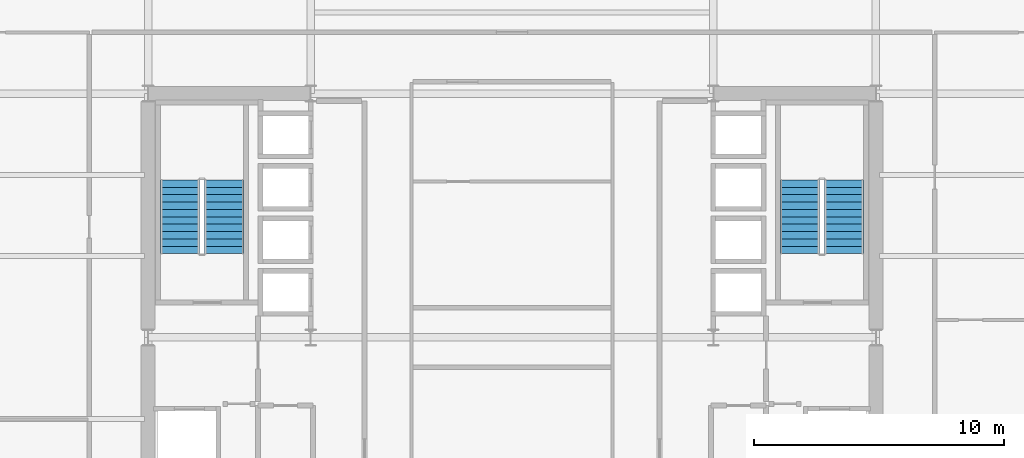
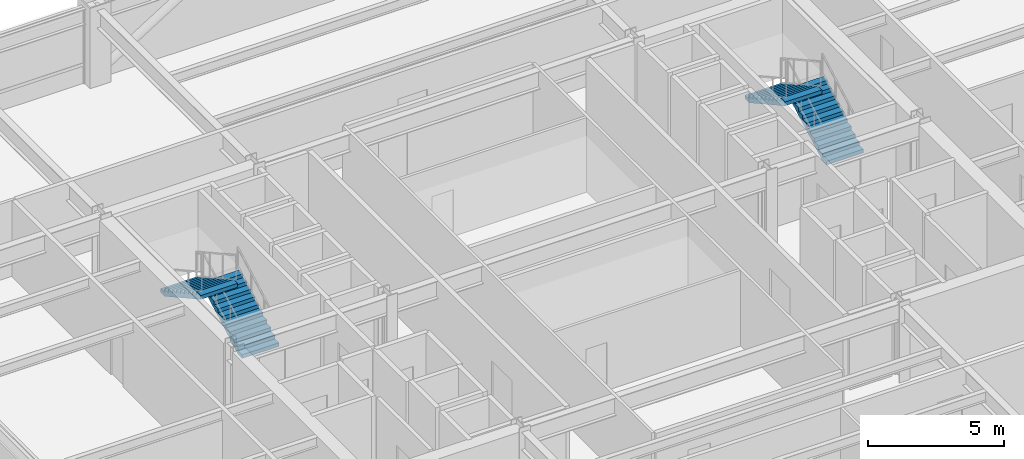
# One storey, part 28 of 30: 4 stair flights, 2 elements without a shape of their own.
"""IFC4 building model written with IfcOpenShell, lengths in metres."""

from ifc_helpers import new_model, si_unit, direction, frame, origin, place, context, subcontext, project, spatial, polyline, outline, extrude, material, type_object, element, aggregate, save


model = new_model("IFC4")

# Units and contexts
model_context = context("Model", 3, precision=1e-05, world=origin(), true_north=direction((0.0, 1.0)))
body_context = subcontext(model_context, "Body", "Model", "MODEL_VIEW")
ifc_project = project(units=[si_unit("LENGTHUNIT", "METRE"), si_unit("AREAUNIT", "SQUARE_METRE"), si_unit("VOLUMEUNIT", "CUBIC_METRE"), si_unit("PLANEANGLEUNIT", "RADIAN"), si_unit("MASSUNIT", "GRAM", prefix="KILO")], contexts=[model_context])

# Site, building, storey
site_placement = place(None, origin())
site = spatial("IfcSite", under=ifc_project, at=site_placement, CompositionType="ELEMENT")
building_placement = place(site_placement, origin())
building = spatial("IfcBuilding", under=site, at=building_placement, Name="Brelmoor Portico Tower", CompositionType="ELEMENT")
storey_placement = place(building_placement, frame((0.0, 0.0, 56.39990234375)))
storey = spatial("IfcBuildingStorey", under=building, at=storey_placement, Name="L14", CompositionType="ELEMENT", Elevation=56.39990234375)

# Stair, stair flights
ifc_material = material(Name="Concrete C40", Category="concrete")
stair_type_1 = type_object("IfcStairType", Name="ST-CORE-W", PredefinedType="HALF_TURN_STAIR", material=ifc_material)
stair_1_placement = place(storey_placement, origin())
stair_1 = element("IfcStair", 1, at=stair_1_placement, inside=storey, type_object=stair_type_1, Name="L14 Protected Core Exit Stair ST-W", PredefinedType="HALF_TURN_STAIR")
stair_flight_type = type_object("IfcStairFlightType", Name="SF-CORE-1850", PredefinedType="STRAIGHT", material=ifc_material)
stair_flight_1_placement = place(storey_placement, frame((-11.510009765625, 3.35009765625, 0.0), z_axis=(0.0, 0.0, 1.0), x_axis=(0.0, 1.0, 0.0)))
stair_flight_1 = element("IfcStairFlight", 2, at=stair_flight_1_placement, type_object=stair_flight_type, Name="ST-W flight 1", NumberOfRisers=11, NumberOfTreads=10, PredefinedType="STRAIGHT", RiserHeight=0.163636364, TreadLength=0.295, context=body_context, shape_type="SweptSolid", body=[
    extrude(outline(polyline([(0.0, 0.0), (0.0, 0.16357421875), (0.294921875, 0.16357421875), (0.294921875, 0.327392578125), (0.590087890625, 0.327392578125), (0.590087890625, 0.490966796875), (0.885009765625, 0.490966796875), (0.885009765625, 0.654541015625), (1.179931640625, 0.654541015625), (1.179931640625, 0.818115234375), (1.47509765625, 0.818115234375), (1.47509765625, 0.98193359375), (1.77001953125, 0.98193359375), (1.77001953125, 1.1455078125), (2.06494140625, 1.1455078125), (2.06494140625, 1.30908203125), (2.360107421875, 1.30908203125), (2.360107421875, 1.47265625), (2.655029296875, 1.47265625), (2.655029296875, 1.636474609375), (2.949951171875, 1.636474609375), (2.949951171875, 1.800048828125), (2.949951171875, 1.46484375), (0.30908203125, 0.0), (0.0, 0.0)])), frame((0.0, 0.780029296875, 0.0), z_axis=(0.0, -1.0, 0.0), x_axis=(1.0, 0.0, 0.0)), (0.0, 0.0, 1.0), 1.56005859375),
])
stair_flight_2_placement = place(storey_placement, frame((-13.27001953125, 6.300048828125, 1.800048828125), z_axis=(0.0, 0.0, 1.0), x_axis=(0.0, -1.0, 0.0)))
stair_flight_2 = element("IfcStairFlight", 3, at=stair_flight_2_placement, type_object=stair_flight_type, Name="ST-W flight 2", NumberOfRisers=11, NumberOfTreads=10, PredefinedType="STRAIGHT", RiserHeight=0.163636364, TreadLength=0.295, context=body_context, shape_type="SweptSolid", body=[
    extrude(outline(polyline([(0.0, 0.0), (0.0, 0.16357421875), (0.294921875, 0.16357421875), (0.294921875, 0.327392578125), (0.590087890625, 0.327392578125), (0.590087890625, 0.490966796875), (0.885009765625, 0.490966796875), (0.885009765625, 0.654541015625), (1.179931640625, 0.654541015625), (1.179931640625, 0.818115234375), (1.47509765625, 0.818115234375), (1.47509765625, 0.98193359375), (1.77001953125, 0.98193359375), (1.77001953125, 1.1455078125), (2.06494140625, 1.1455078125), (2.06494140625, 1.30908203125), (2.360107421875, 1.30908203125), (2.360107421875, 1.47265625), (2.655029296875, 1.47265625), (2.655029296875, 1.636474609375), (2.949951171875, 1.636474609375), (2.949951171875, 1.800048828125), (2.949951171875, 1.46484375), (0.30908203125, 0.0), (0.0, 0.0)])), frame((0.0, 0.780029296875, 0.0), z_axis=(0.0, -1.0, 0.0), x_axis=(1.0, 0.0, 0.0)), (0.0, 0.0, 1.0), 1.56005859375),
])
aggregate(stair_1, [stair_flight_1, stair_flight_2])

stair_type_2 = type_object("IfcStairType", Name="ST-CORE-E", PredefinedType="HALF_TURN_STAIR", material=ifc_material)
stair_2_placement = place(storey_placement, origin())
stair_2 = element("IfcStair", 4, at=stair_2_placement, inside=storey, type_object=stair_type_2, Name="L14 Protected Core Exit Stair ST-E", PredefinedType="HALF_TURN_STAIR")
stair_flight_3_placement = place(storey_placement, frame((13.27001953125, 3.35009765625, 0.0), z_axis=(0.0, 0.0, 1.0), x_axis=(0.0, 1.0, 0.0)))
stair_flight_3 = element("IfcStairFlight", 5, at=stair_flight_3_placement, type_object=stair_flight_type, Name="ST-E flight 1", NumberOfRisers=11, NumberOfTreads=10, PredefinedType="STRAIGHT", RiserHeight=0.163636364, TreadLength=0.295, context=body_context, shape_type="SweptSolid", body=[
    extrude(outline(polyline([(0.0, 0.0), (0.0, 0.16357421875), (0.294921875, 0.16357421875), (0.294921875, 0.327392578125), (0.590087890625, 0.327392578125), (0.590087890625, 0.490966796875), (0.885009765625, 0.490966796875), (0.885009765625, 0.654541015625), (1.179931640625, 0.654541015625), (1.179931640625, 0.818115234375), (1.47509765625, 0.818115234375), (1.47509765625, 0.98193359375), (1.77001953125, 0.98193359375), (1.77001953125, 1.1455078125), (2.06494140625, 1.1455078125), (2.06494140625, 1.30908203125), (2.360107421875, 1.30908203125), (2.360107421875, 1.47265625), (2.655029296875, 1.47265625), (2.655029296875, 1.636474609375), (2.949951171875, 1.636474609375), (2.949951171875, 1.800048828125), (2.949951171875, 1.46484375), (0.30908203125, 0.0), (0.0, 0.0)])), frame((0.0, 0.780029296875, 0.0), z_axis=(0.0, -1.0, 0.0), x_axis=(1.0, 0.0, 0.0)), (0.0, 0.0, 1.0), 1.56005859375),
])
stair_flight_4_placement = place(storey_placement, frame((11.510009765625, 6.300048828125, 1.800048828125), z_axis=(0.0, 0.0, 1.0), x_axis=(0.0, -1.0, 0.0)))
stair_flight_4 = element("IfcStairFlight", 6, at=stair_flight_4_placement, type_object=stair_flight_type, Name="ST-E flight 2", NumberOfRisers=11, NumberOfTreads=10, PredefinedType="STRAIGHT", RiserHeight=0.163636364, TreadLength=0.295, context=body_context, shape_type="SweptSolid", body=[
    extrude(outline(polyline([(0.0, 0.0), (0.0, 0.16357421875), (0.294921875, 0.16357421875), (0.294921875, 0.327392578125), (0.590087890625, 0.327392578125), (0.590087890625, 0.490966796875), (0.885009765625, 0.490966796875), (0.885009765625, 0.654541015625), (1.179931640625, 0.654541015625), (1.179931640625, 0.818115234375), (1.47509765625, 0.818115234375), (1.47509765625, 0.98193359375), (1.77001953125, 0.98193359375), (1.77001953125, 1.1455078125), (2.06494140625, 1.1455078125), (2.06494140625, 1.30908203125), (2.360107421875, 1.30908203125), (2.360107421875, 1.47265625), (2.655029296875, 1.47265625), (2.655029296875, 1.636474609375), (2.949951171875, 1.636474609375), (2.949951171875, 1.800048828125), (2.949951171875, 1.46484375), (0.30908203125, 0.0), (0.0, 0.0)])), frame((0.0, 0.780029296875, 0.0), z_axis=(0.0, -1.0, 0.0), x_axis=(1.0, 0.0, 0.0)), (0.0, 0.0, 1.0), 1.56005859375),
])
aggregate(stair_2, [stair_flight_3, stair_flight_4])

save(model, "model.ifc")
